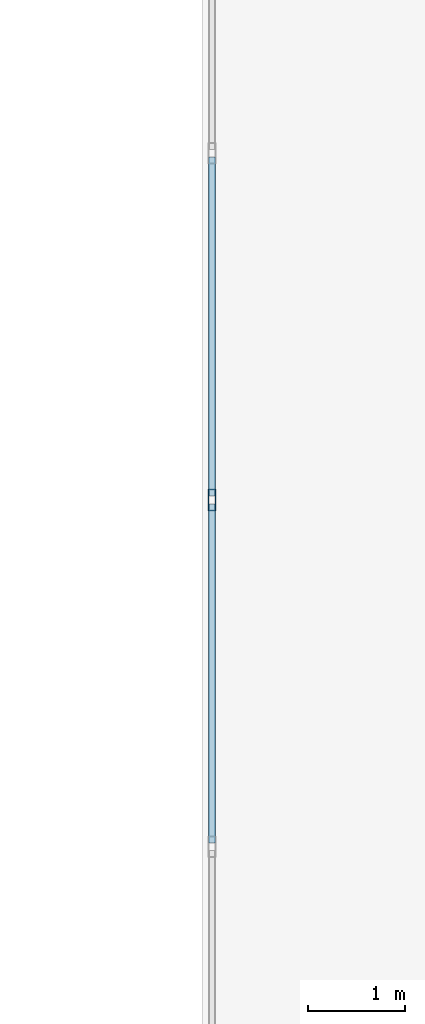
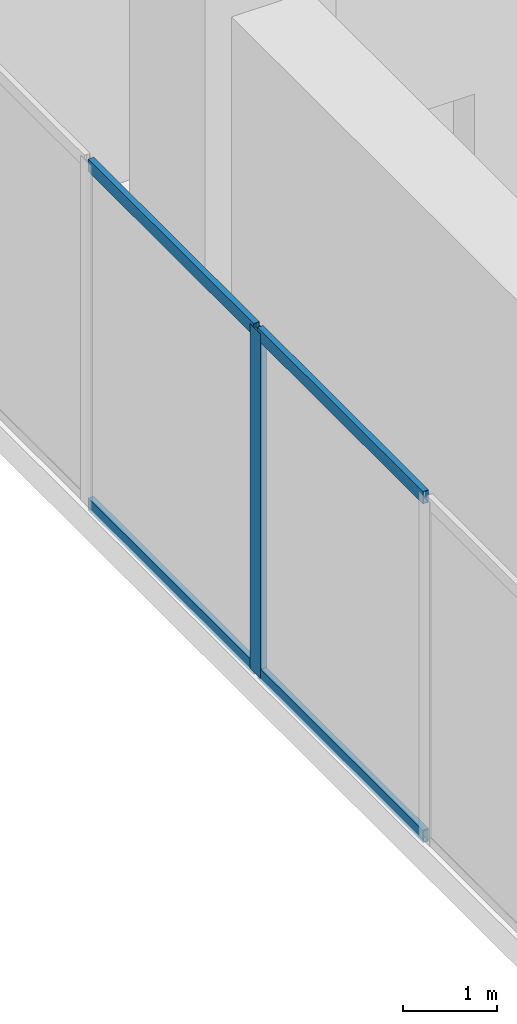
# One storey, part 10 of 33: 5 members, 1 element without a shape of its own.
"""IFC4 building model written with IfcOpenShell, lengths in metres."""

from ifc_helpers import new_model, si_unit, direction, frame, origin, origin_2d, place, context, subcontext, project, spatial, hollow_rectangle, extrude, source, transform, mapped, material, layer, layer_set, material_profile, profile_set, type_object, type_shapes, element, aggregate, save


model = new_model("IFC4")

# Units and contexts
model_context = context("Model", 3, precision=1e-05, world=origin(), true_north=direction((0.0, 1.0)))
body_context = subcontext(model_context, "Body", "Model", "MODEL_VIEW")
ifc_project = project(units=[si_unit("LENGTHUNIT", "METRE"), si_unit("AREAUNIT", "SQUARE_METRE"), si_unit("VOLUMEUNIT", "CUBIC_METRE"), si_unit("PLANEANGLEUNIT", "RADIAN"), si_unit("MASSUNIT", "GRAM", prefix="KILO")], contexts=[model_context])

# Site, building, storey
site_placement = place(None, origin())
site = spatial("IfcSite", under=ifc_project, at=site_placement, CompositionType="ELEMENT")
building_placement = place(site_placement, origin())
building = spatial("IfcBuilding", under=site, at=building_placement, Name="Haelvirn Gate Laboratories", CompositionType="ELEMENT")
storey_placement = place(building_placement, frame((0.0, 0.0, 10.199951171875)))
storey = spatial("IfcBuildingStorey", under=building, at=storey_placement, Name="L03", CompositionType="ELEMENT", Elevation=10.199951171875)

# Curtain wall, members
ifc_material_1 = material(Name="Anodised bronze unitised aluminium & triple low-E glass", Category="aluminium")
ifc_layer = layer(ifc_material_1, 0.18798828125, Name="CW-SYS-1")
ifc_layer_set = layer_set([ifc_layer], Name="Anodised bronze unitised aluminium & triple low-E glass")
curtain_wall_type = type_object("IfcCurtainWallType", Name="CW-SYS-1", PredefinedType="NOTDEFINED", material=ifc_layer_set)
curtain_wall_placement = place(storey_placement, origin())
curtain_wall = element("IfcCurtainWall", 1, at=curtain_wall_placement, inside=storey, type_object=curtain_wall_type, Name="L03 Unitised Curtain Wall CW-L03-P1-E07", PredefinedType="NOTDEFINED")
ifc_material_2 = material(Name="Extruded aluminium 6063-T6 (anodised bronze)", Category="aluminium")
ifc_material_profile_1 = material_profile(ifc_material_2, hollow_rectangle(XDim=0.070068359375, YDim=0.159912109375, WallThickness=0.0048828125, at=origin_2d()), Name="CWT-160x70x5")
ifc_profile_set_1 = profile_set([ifc_material_profile_1], Name="Extruded aluminium 6063-T6 (anodised bronze)")
member_type_1 = type_object("IfcMemberType", Name="CWT-T160", PredefinedType="USERDEFINED", material=ifc_profile_set_1)
shared_shape_1 = source(origin(), body_context, "Body", "SweptSolid", [
    extrude(hollow_rectangle(XDim=0.070068359375, YDim=0.159912109375, WallThickness=0.0048828125, at=origin_2d()), origin(), (0.0, 0.0, 1.0), 3.505615234375),
])
type_shapes(member_type_1, [shared_shape_1])
member_1_placement = place(storey_placement, frame((49.5, 31.431396484375, 0.03515625), z_axis=(0.0, -1.0, 0.0), x_axis=(1.0, 0.0, 0.0)))
member_1 = element("IfcMember", 2, at=member_1_placement, type_object=member_type_1, Name="CW1 transom 6.1", ObjectType="TRANSOM", PredefinedType="USERDEFINED", context=body_context, shape_type="MappedRepresentation", body=[
    mapped(shared_shape_1, transform((0.0, 0.0, 0.0), scale=1.0)),
])
member_2_placement = place(storey_placement, frame((49.5, 31.431396484375, 4.4150390625), z_axis=(0.0, -1.0, 0.0), x_axis=(1.0, 0.0, 0.0)))
member_2 = element("IfcMember", 3, at=member_2_placement, type_object=member_type_1, Name="CW1 transom 6.2", ObjectType="TRANSOM", PredefinedType="USERDEFINED", context=body_context, shape_type="MappedRepresentation", body=[
    mapped(shared_shape_1, transform((0.0, 0.0, 0.0), scale=1.0)),
])
member_3_placement = place(storey_placement, frame((49.5, 27.845703125, 0.03515625), z_axis=(0.0, -1.0, 0.0), x_axis=(1.0, 0.0, 0.0)))
member_3 = element("IfcMember", 4, at=member_3_placement, type_object=member_type_1, Name="CW1 transom 7.1", ObjectType="TRANSOM", PredefinedType="USERDEFINED", context=body_context, shape_type="MappedRepresentation", body=[
    mapped(shared_shape_1, transform((0.0, 0.0, 0.0), scale=1.0)),
])
member_4_placement = place(storey_placement, frame((49.5, 27.845703125, 4.4150390625), z_axis=(0.0, -1.0, 0.0), x_axis=(1.0, 0.0, 0.0)))
member_4 = element("IfcMember", 5, at=member_4_placement, type_object=member_type_1, Name="CW1 transom 7.2", ObjectType="TRANSOM", PredefinedType="USERDEFINED", context=body_context, shape_type="MappedRepresentation", body=[
    mapped(shared_shape_1, transform((0.0, 0.0, 0.0), scale=1.0)),
])
ifc_material_profile_2 = material_profile(ifc_material_2, hollow_rectangle(XDim=0.080078125, YDim=0.219970703125, WallThickness=0.006103515625, at=origin_2d()), Name="CWM-220x80x6")
ifc_profile_set_2 = profile_set([ifc_material_profile_2], Name="Extruded aluminium 6063-T6 (anodised bronze)")
member_type_2 = type_object("IfcMemberType", Name="CWM-T220", PredefinedType="MULLION", material=ifc_profile_set_2)
shared_shape_2 = source(origin(), body_context, "Body", "SweptSolid", [
    extrude(hollow_rectangle(XDim=0.080078125, YDim=0.219970703125, WallThickness=0.006103515625, at=origin_2d()), origin(), (0.0, 0.0, 1.0), 4.449951171875),
])
type_shapes(member_type_2, [shared_shape_2])
member_5_placement = place(storey_placement, frame((49.5, 27.8857421875, 0.0), z_axis=(0.0, 0.0, 1.0), x_axis=(1.0, 0.0, 0.0)))
member_5 = element("IfcMember", 6, at=member_5_placement, type_object=member_type_2, Name="CW1 mullion 7", PredefinedType="MULLION", context=body_context, shape_type="MappedRepresentation", body=[
    mapped(shared_shape_2, transform((0.0, 0.0, 0.0), scale=1.0)),
])
aggregate(curtain_wall, [member_5, member_1, member_2, member_3, member_4])

save(model, "model.ifc")
